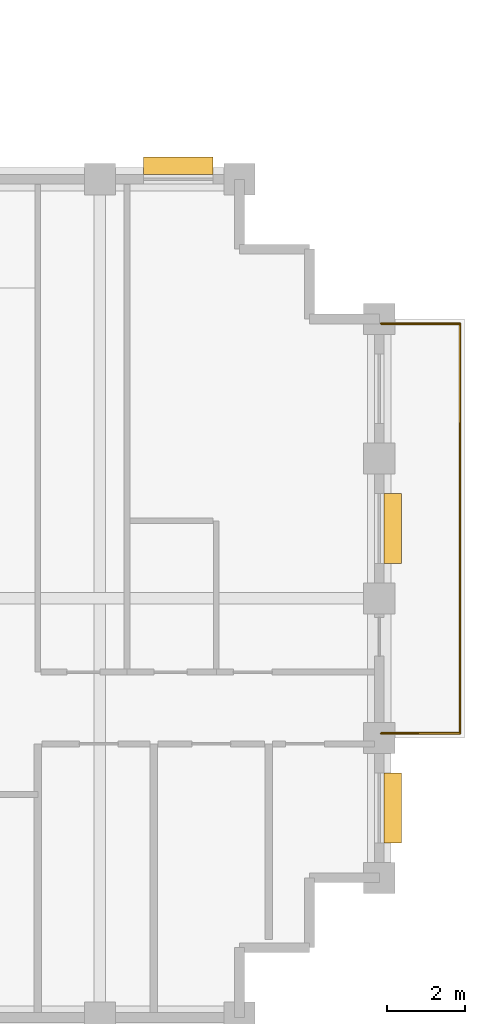
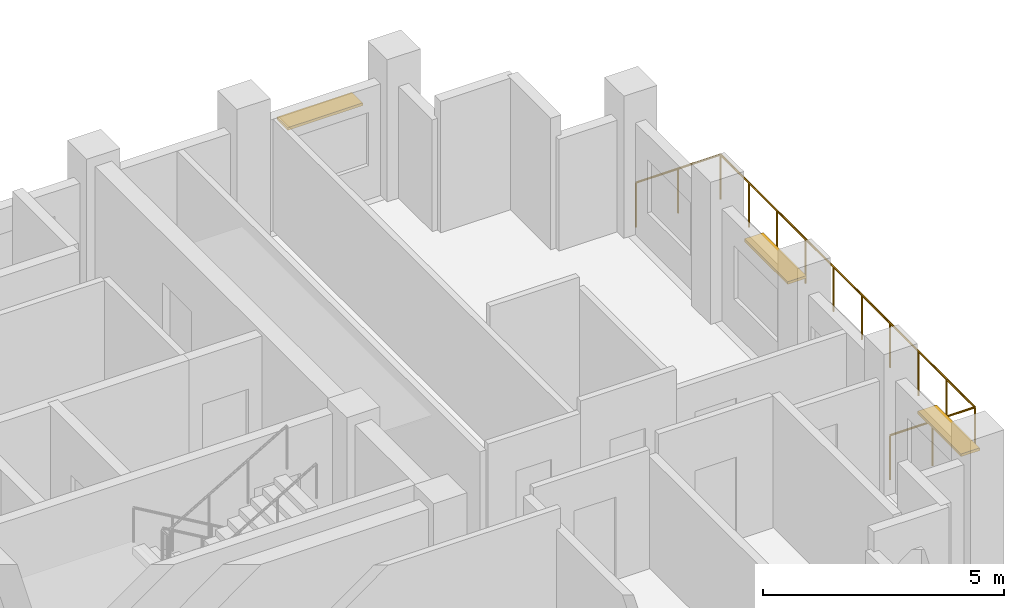
# One storey, part 12 of 12: 3 railings, 3 shading devices.
"""IFC4 building model written with IfcOpenShell, lengths in metres."""

from ifc_helpers import new_model, si_unit, direction, frame, origin, origin_2d, place, context, subcontext, project, spatial, rectangle, circle, extrude, material, layer, layer_set, type_object, element, save


model = new_model("IFC4")

# Units and contexts
model_context = context("Model", 3, precision=1e-05, world=origin(), true_north=direction((0.0, 1.0)))
body_context = subcontext(model_context, "Body", "Model", "MODEL_VIEW")
ifc_project = project(units=[si_unit("LENGTHUNIT", "METRE"), si_unit("AREAUNIT", "SQUARE_METRE"), si_unit("VOLUMEUNIT", "CUBIC_METRE"), si_unit("PLANEANGLEUNIT", "RADIAN"), si_unit("MASSUNIT", "GRAM", prefix="KILO")], contexts=[model_context])

# Site, building, storey
site_placement = place(None, origin())
site = spatial("IfcSite", under=ifc_project, at=site_placement, CompositionType="ELEMENT")
building_placement = place(site_placement, origin())
building = spatial("IfcBuilding", under=site, at=building_placement, Name="Solnavia Interchange Tower", CompositionType="ELEMENT")
storey_placement = place(building_placement, frame((0.0, 0.0, 228.199951171875)))
storey = spatial("IfcBuildingStorey", under=building, at=storey_placement, Name="L57", CompositionType="ELEMENT", Elevation=228.199951171875)

# Railings
ifc_material_1 = material(Name="Laminated Safety Glass & Stainless Steel", Category="steel")
railing_type = type_object("IfcRailingType", Name="Railing-TerraceGuard-1150", PredefinedType="GUARDRAIL", material=ifc_material_1)
railing_1_placement = place(storey_placement, frame((43.25, 10.919921875, -0.0400390625)))
element("IfcRailing", 1, at=railing_1_placement, inside=storey, type_object=railing_type, Name="GRD-L57-TER-01 Perimeter terrace guardrail", PredefinedType="GUARDRAIL", context=body_context, shape_type="SweptSolid", body=[
    extrude(circle(Radius=0.02392578125, at=origin_2d()), frame((0.0, 0.0, 1.1259765625), z_axis=(1.0, 0.0, 0.0), x_axis=(0.0, 1.0, 0.0)), (0.0, 0.0, 1.0), 2.030029296875),
    extrude(circle(Radius=0.02099609375, at=origin_2d()), origin(), (0.0, 0.0, 1.0), 1.101806640625),
    extrude(circle(Radius=0.02099609375, at=origin_2d()), frame((1.01513671875, 0.0, 0.0)), (0.0, 0.0, 1.0), 1.101806640625),
    extrude(circle(Radius=0.02099609375, at=origin_2d()), frame((2.030029296875, 0.0, 0.0)), (0.0, 0.0, 1.0), 1.101806640625),
])
railing_2_placement = place(storey_placement, frame((45.280029296875, 10.919921875, -0.0400390625)))
element("IfcRailing", 2, at=railing_2_placement, inside=storey, type_object=railing_type, Name="GRD-L57-TER-02 Perimeter terrace guardrail", PredefinedType="GUARDRAIL", context=body_context, shape_type="SweptSolid", body=[
    extrude(circle(Radius=0.02392578125, at=origin_2d()), frame((0.0, 0.0, 1.1259765625), z_axis=(0.0, 1.0, 0.0), x_axis=(-1.0, 0.0, 0.0)), (0.0, 0.0, 1.0), 10.56005859375),
    extrude(circle(Radius=0.02099609375, at=origin_2d()), origin(), (0.0, 0.0, 1.0), 1.101806640625),
    extrude(circle(Radius=0.02099609375, at=origin_2d()), frame((0.0, 1.17333984375, 0.0)), (0.0, 0.0, 1.0), 1.101806640625),
    extrude(circle(Radius=0.02099609375, at=origin_2d()), frame((0.0, 2.3466796875, 0.0)), (0.0, 0.0, 1.0), 1.101806640625),
    extrude(circle(Radius=0.02099609375, at=origin_2d()), frame((0.0, 3.52001953125, 0.0)), (0.0, 0.0, 1.0), 1.101806640625),
    extrude(circle(Radius=0.02099609375, at=origin_2d()), frame((0.0, 4.693359375, 0.0)), (0.0, 0.0, 1.0), 1.101806640625),
    extrude(circle(Radius=0.02099609375, at=origin_2d()), frame((0.0, 5.86669921875, 0.0)), (0.0, 0.0, 1.0), 1.101806640625),
    extrude(circle(Radius=0.02099609375, at=origin_2d()), frame((0.0, 7.0400390625, 0.0)), (0.0, 0.0, 1.0), 1.101806640625),
    extrude(circle(Radius=0.02099609375, at=origin_2d()), frame((0.0, 8.21337890625, 0.0)), (0.0, 0.0, 1.0), 1.101806640625),
    extrude(circle(Radius=0.02099609375, at=origin_2d()), frame((0.0, 9.38671875, 0.0)), (0.0, 0.0, 1.0), 1.101806640625),
    extrude(circle(Radius=0.02099609375, at=origin_2d()), frame((0.0, 10.56005859375, 0.0)), (0.0, 0.0, 1.0), 1.101806640625),
])
railing_3_placement = place(storey_placement, frame((45.280029296875, 21.47998046875, -0.0400390625)))
element("IfcRailing", 3, at=railing_3_placement, inside=storey, type_object=railing_type, Name="GRD-L57-TER-03 Perimeter terrace guardrail", PredefinedType="GUARDRAIL", context=body_context, shape_type="SweptSolid", body=[
    extrude(circle(Radius=0.02392578125, at=origin_2d()), frame((0.0, 0.0, 1.1259765625), z_axis=(-1.0, 0.0, 0.0), x_axis=(0.0, -1.0, 0.0)), (0.0, 0.0, 1.0), 2.030029296875),
    extrude(circle(Radius=0.02099609375, at=origin_2d()), origin(), (0.0, 0.0, 1.0), 1.101806640625),
    extrude(circle(Radius=0.02099609375, at=origin_2d()), frame((-1.01513671875, 0.0, 0.0)), (0.0, 0.0, 1.0), 1.101806640625),
    extrude(circle(Radius=0.02099609375, at=origin_2d()), frame((-2.030029296875, 0.0, 0.0)), (0.0, 0.0, 1.0), 1.101806640625),
])

# Shading devices
ifc_material_2 = material(Name="Anodised Aluminium Sunshade", Category="aluminium")
ifc_layer = layer(ifc_material_2, 0.070068359375)
ifc_layer_set = layer_set([ifc_layer], Name="Anodised Aluminium Sunshade")
shading_device_type = type_object("IfcShadingDeviceType", Name="Sunshade-Band-450", PredefinedType="JALOUSIE", material=ifc_layer_set)
for number, where, z_axis, x_axis, name in (
    (4, (43.544921875, 9.0, 2.22509765625), (0.0, 0.0, 1.0), (0.0, -1.0, 0.0), "SHD-L57-09 Horizontal sunshade band"),
    (5, (43.544921875, 16.199951171875, 2.22509765625), (0.0, 0.0, 1.0), (0.0, -1.0, 0.0), "SHD-L57-11 Horizontal sunshade band"),
    (6, (38.02001953125, 25.544921875, 2.22509765625), (0.0, 0.0, 1.0), (1.0, 0.0, 0.0), "SHD-L57-17 Horizontal sunshade band"),
):
    element("IfcShadingDevice", number, at=place(storey_placement, frame(where, z_axis=z_axis, x_axis=x_axis)), inside=storey, type_object=shading_device_type, Name=name, PredefinedType="JALOUSIE", context=body_context, shape_type="SweptSolid", body=[
        extrude(rectangle(XDim=1.800048828125, YDim=0.449951171875, at=origin_2d()), origin(), (0.0, 0.0, 1.0), 0.070068359375),
    ])

save(model, "model.ifc")
